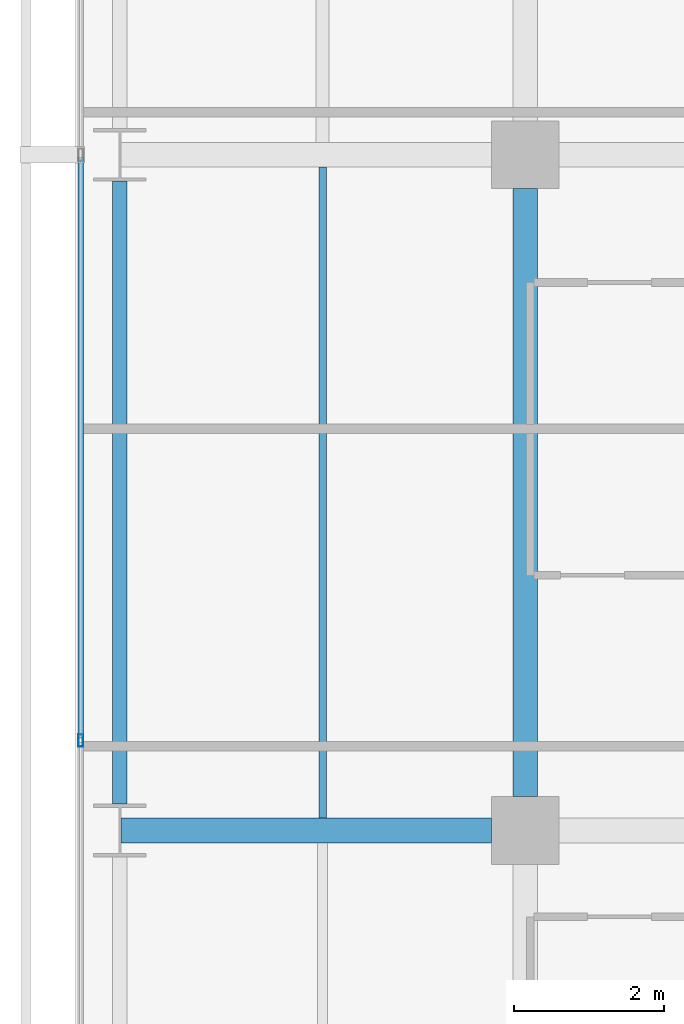
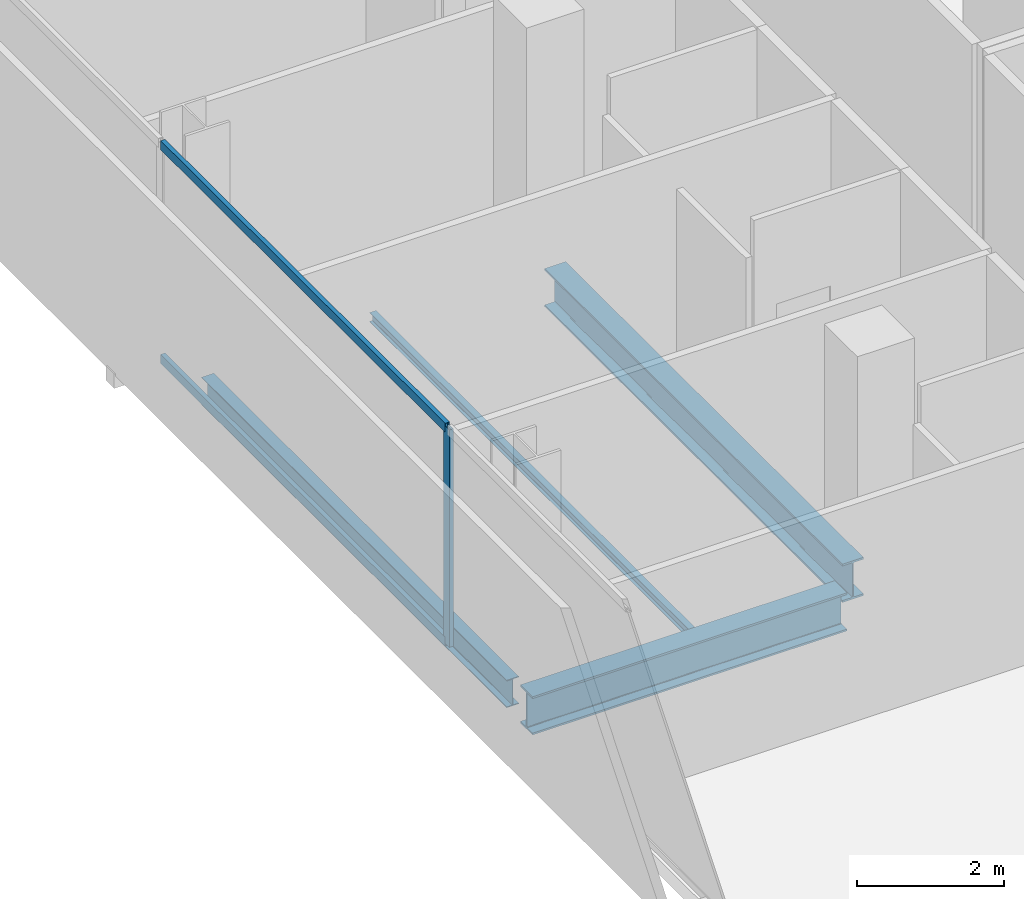
# One storey, part 10 of 40: 4 beams, 3 members, 1 element without a shape of its own.
"""IFC4 building model written with IfcOpenShell, lengths in metres."""

from ifc_helpers import new_model, si_unit, direction, frame, origin, origin_2d, place, context, subcontext, project, spatial, hollow_rectangle, i_section, extrude, material, layer, layer_set, material_profile, profile_set, type_object, element, aggregate, save


model = new_model("IFC4")

# Units and contexts
model_context = context("Model", 3, precision=1e-05, world=origin(), true_north=direction((0.0, 1.0)))
body_context = subcontext(model_context, "Body", "Model", "MODEL_VIEW")
ifc_project = project(units=[si_unit("LENGTHUNIT", "METRE"), si_unit("AREAUNIT", "SQUARE_METRE"), si_unit("VOLUMEUNIT", "CUBIC_METRE"), si_unit("PLANEANGLEUNIT", "RADIAN"), si_unit("MASSUNIT", "GRAM", prefix="KILO")], contexts=[model_context])

# Site, building, storey
site_placement = place(None, origin())
site = spatial("IfcSite", under=ifc_project, at=site_placement, CompositionType="ELEMENT")
building_placement = place(site_placement, origin())
building = spatial("IfcBuilding", under=site, at=building_placement, Name="Maruvema Waterfront Hotel and Observation Tower", CompositionType="ELEMENT")
storey_placement = place(building_placement, frame((0.0, 0.0, 34.64990234375)))
storey = spatial("IfcBuildingStorey", under=building, at=storey_placement, Name="L07", CompositionType="ELEMENT", Elevation=34.64990234375)

# Curtain wall, members
ifc_material_1 = material(Name="Anodised bronze aluminium and solar-control low-E IGU", Category="aluminium")
ifc_layer = layer(ifc_material_1, 0.159912109375, Name="Zone 1 Bronze Inner Thermal Curtain Wall System CW-02")
ifc_layer_set = layer_set([ifc_layer], Name="Anodised bronze aluminium and solar-control low-E IGU")
curtain_wall_type = type_object("IfcCurtainWallType", Name="Zone 1 Bronze Inner Thermal Curtain Wall System CW-02", PredefinedType="USERDEFINED", material=ifc_layer_set)
curtain_wall_placement = place(storey_placement, origin())
curtain_wall = element("IfcCurtainWall", 1, at=curtain_wall_placement, inside=storey, type_object=curtain_wall_type, Name="L07 Curtain Wall CW-L07-W", ObjectType="UNITISED CURTAIN WALL", PredefinedType="USERDEFINED")
ifc_material_2 = material(Name="Anodised architectural bronze aluminium", Category="aluminium")
ifc_material_profile_1 = material_profile(ifc_material_2, hollow_rectangle(XDim=0.070068359375, YDim=0.14990234375, WallThickness=0.00390625, at=origin_2d()), Name="ALU-T70x150")
ifc_profile_set_1 = profile_set([ifc_material_profile_1], Name="Anodised architectural bronze aluminium")
member_type_1 = type_object("IfcMemberType", Name="Curtain Wall Horizontal Transom ALU-T70x150", PredefinedType="USERDEFINED", material=ifc_profile_set_1)
member_1_placement = place(storey_placement, frame((10.8798828125, 26.969970703125, 0.030029296875), z_axis=(0.0, -1.0, 0.0), x_axis=(1.0, 0.0, 0.0)))
member_1 = element("IfcMember", 2, at=member_1_placement, type_object=member_type_1, Name="CW-02 transom 4.1", ObjectType="TRANSOM", PredefinedType="USERDEFINED", context=body_context, shape_type="SweptSolid", body=[
    extrude(hollow_rectangle(XDim=0.070068359375, YDim=0.14990234375, WallThickness=0.00390625, at=origin_2d()), origin(), (0.0, 0.0, 1.0), 7.739990234375),
])
member_2_placement = place(storey_placement, frame((10.8798828125, 26.969970703125, 3.580078125), z_axis=(0.0, -1.0, 0.0), x_axis=(1.0, 0.0, 0.0)))
member_2 = element("IfcMember", 3, at=member_2_placement, type_object=member_type_1, Name="CW-02 transom 4.2", ObjectType="TRANSOM", PredefinedType="USERDEFINED", context=body_context, shape_type="SweptSolid", body=[
    extrude(hollow_rectangle(XDim=0.070068359375, YDim=0.14990234375, WallThickness=0.00390625, at=origin_2d()), origin(), (0.0, 0.0, 1.0), 7.739990234375),
])
ifc_material_3 = material(Name="Anodised architectural bronze aluminium", Category="aluminium")
ifc_material_profile_2 = material_profile(ifc_material_3, hollow_rectangle(XDim=0.06494140625, YDim=0.1650390625, WallThickness=0.00390625, at=origin_2d()), Name="ALU-M65x165")
ifc_profile_set_2 = profile_set([ifc_material_profile_2], Name="Anodised architectural bronze aluminium")
member_type_2 = type_object("IfcMemberType", Name="Curtain Wall Primary Mullion ALU-M65x165", PredefinedType="MULLION", material=ifc_profile_set_2)
member_3_placement = place(storey_placement, frame((10.8798828125, 19.199951171875, 0.0), z_axis=(0.0, 0.0, 1.0), x_axis=(1.0, 0.0, 0.0)))
member_3 = element("IfcMember", 4, at=member_3_placement, type_object=member_type_2, Name="CW-02 mullion 5", PredefinedType="MULLION", context=body_context, shape_type="SweptSolid", body=[
    extrude(hollow_rectangle(XDim=0.06494140625, YDim=0.1650390625, WallThickness=0.00390625, at=origin_2d()), origin(), (0.0, 0.0, 1.0), 3.610107421875),
])
aggregate(curtain_wall, [member_3, member_1, member_2])

# Beams
ifc_material_4 = material(Name="Steel ASTM A572 Grade 50", Category="steel")
ifc_material_profile_3 = material_profile(ifc_material_4, i_section(OverallWidth=0.18994140625, OverallDepth=0.45703125, WebThickness=0.009033203125, FlangeThickness=0.014404296875, FilletRadius=0.014892578125, at=origin_2d()), Name="W460x74.0")
ifc_profile_set_3 = profile_set([ifc_material_profile_3], Name="Steel ASTM A572 Grade 50")
beam_type_1 = type_object("IfcBeamType", Name="Perimeter Spandrel Beam W460x74.0", PredefinedType="SPANDREL", material=ifc_profile_set_3)
beam_1_placement = place(storey_placement, frame((11.39990234375, 18.35009765625, -0.468505859375), z_axis=(0.0, 1.0, 0.0), x_axis=(-1.0, 0.0, 0.0)))
element("IfcBeam", 5, at=beam_1_placement, inside=storey, type_object=beam_type_1, Name="L07 Floor Girder NS-02", PredefinedType="SPANDREL", context=body_context, shape_type="SweptSolid", body=[
    extrude(i_section(OverallWidth=0.18994140625, OverallDepth=0.45703125, WebThickness=0.009033203125, FlangeThickness=0.014404296875, FilletRadius=0.014892578125, at=origin_2d()), origin(), (0.0, 0.0, 1.0), 8.2998046875),
])
ifc_material_5 = material(Name="Steel ASTM A572 Grade 50", Category="steel")
ifc_material_profile_4 = material_profile(ifc_material_5, i_section(OverallWidth=0.3291015625, OverallDepth=0.635009765625, WebThickness=0.017822265625, FlangeThickness=0.031005859375, FilletRadius=0.01806640625, at=origin_2d()), Name="W610x241.0")
ifc_profile_set_4 = profile_set([ifc_material_profile_4], Name="Steel ASTM A572 Grade 50")
beam_type_2 = type_object("IfcBeamType", Name="Primary Floor Girder W610x241.0", PredefinedType="BEAM", material=ifc_profile_set_4)
beam_2_placement = place(storey_placement, frame((11.4140625, 18.0, -0.557373046875), z_axis=(1.0, 0.0, 0.0), x_axis=(0.0, 1.0, 0.0)))
element("IfcBeam", 6, at=beam_2_placement, inside=storey, type_object=beam_type_2, Name="L07 Floor Girder EW-13", PredefinedType="BEAM", context=body_context, shape_type="SweptSolid", body=[
    extrude(i_section(OverallWidth=0.3291015625, OverallDepth=0.635009765625, WebThickness=0.017822265625, FlangeThickness=0.031005859375, FilletRadius=0.01806640625, at=origin_2d()), origin(), (0.0, 0.0, 1.0), 4.93603515625),
])
beam_3_placement = place(storey_placement, frame((16.800048828125, 18.449951171875, -0.557373046875), z_axis=(0.0, 1.0, 0.0), x_axis=(-1.0, 0.0, 0.0)))
element("IfcBeam", 7, at=beam_3_placement, inside=storey, type_object=beam_type_2, Name="L07 Floor Girder NS-07", PredefinedType="BEAM", context=body_context, shape_type="SweptSolid", body=[
    extrude(i_section(OverallWidth=0.3291015625, OverallDepth=0.635009765625, WebThickness=0.017822265625, FlangeThickness=0.031005859375, FilletRadius=0.01806640625, at=origin_2d()), origin(), (0.0, 0.0, 1.0), 8.10009765625),
])
ifc_material_6 = material(Name="Steel ASTM A572 Grade 50", Category="steel")
ifc_material_profile_5 = material_profile(ifc_material_6, i_section(OverallWidth=0.10009765625, OverallDepth=0.153076171875, WebThickness=0.005859375, FlangeThickness=0.007080078125, FilletRadius=0.008056640625, at=origin_2d()), Name="W150x18.0")
ifc_profile_set_5 = profile_set([ifc_material_profile_5], Name="Steel ASTM A572 Grade 50")
beam_type_3 = type_object("IfcBeamType", Name="Secondary Floor Joist W150x18.0", PredefinedType="JOIST", material=ifc_profile_set_5)
beam_4_placement = place(storey_placement, frame((14.10009765625, 18.16455078125, -0.31640625), z_axis=(0.0, 1.0, 0.0), x_axis=(-1.0, 0.0, 0.0)))
element("IfcBeam", 8, at=beam_4_placement, inside=storey, type_object=beam_type_3, Name="L07 Secondary Floor Joist JS-02", PredefinedType="JOIST", context=body_context, shape_type="SweptSolid", body=[
    extrude(i_section(OverallWidth=0.10009765625, OverallDepth=0.153076171875, WebThickness=0.005859375, FlangeThickness=0.007080078125, FilletRadius=0.008056640625, at=origin_2d()), origin(), (0.0, 0.0, 1.0), 8.6708984375),
])

save(model, "model.ifc")
